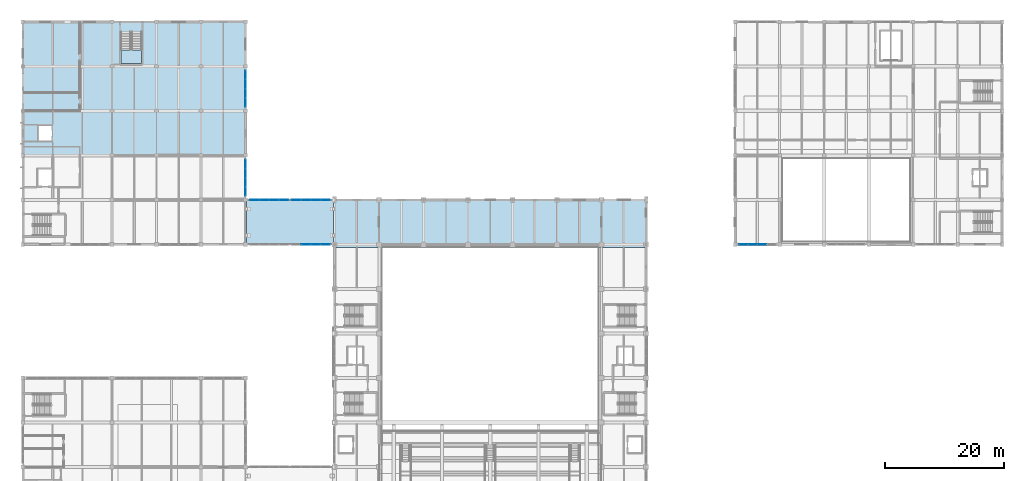
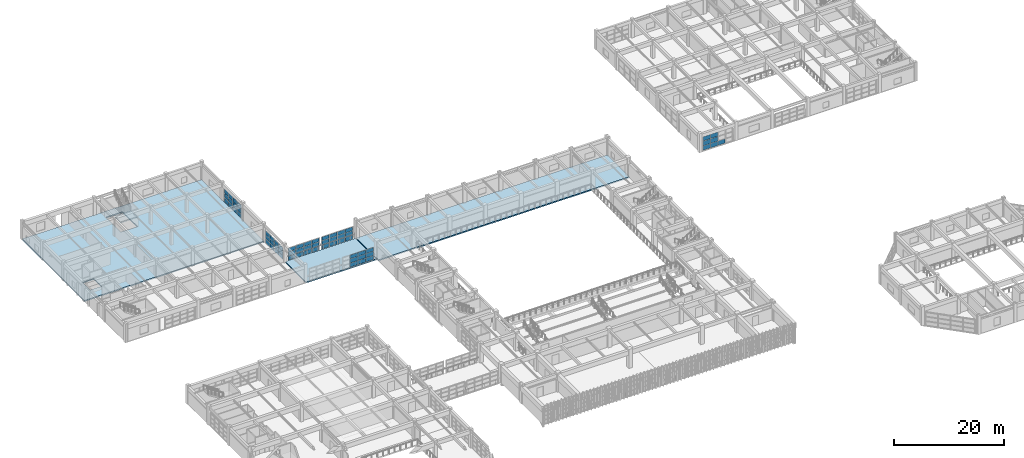
# One storey, part 83 of 124: 64 plates, 4 slabs, 7 elements without a shape of their own.
"""IFC4 building model written with IfcOpenShell, lengths in metres."""

from ifc_helpers import new_model, si_unit, direction, frame, origin, origin_2d, place, context, subcontext, project, spatial, polyline, rectangle, outline, extrude, material, layer, layer_set, type_object, element, aggregate, save


model = new_model("IFC4")

# Units and contexts
model_context = context("Model", 3, precision=1e-05, world=origin(), true_north=direction((0.0, 1.0)))
body_context = subcontext(model_context, "Body", "Model", "MODEL_VIEW")
ifc_project = project(units=[si_unit("LENGTHUNIT", "METRE"), si_unit("AREAUNIT", "SQUARE_METRE"), si_unit("VOLUMEUNIT", "CUBIC_METRE"), si_unit("PLANEANGLEUNIT", "RADIAN"), si_unit("MASSUNIT", "GRAM", prefix="KILO")], contexts=[model_context])

# Site, building, storey
site_placement = place(None, origin())
site = spatial("IfcSite", under=ifc_project, at=site_placement, CompositionType="ELEMENT")
building_placement = place(site_placement, origin())
building = spatial("IfcBuilding", under=site, at=building_placement, Name="Qasida Concert Hall", CompositionType="ELEMENT")
storey_placement = place(building_placement, frame((0.0, 0.0, 9.0)))
storey = spatial("IfcBuildingStorey", under=building, at=storey_placement, Name="L02", CompositionType="ELEMENT", Elevation=9.0)

# Curtain wall, plates
ifc_material_1 = material(Name="Architectural bronze-anodized aluminium and low-E glass", Category="aluminium")
curtain_wall_type_1 = type_object("IfcCurtainWallType", Name="CW-03", PredefinedType="NOTDEFINED", material=ifc_material_1)
curtain_wall_1_placement = place(storey_placement, origin())
curtain_wall_1 = element("IfcCurtainWall", 1, at=curtain_wall_1_placement, inside=storey, type_object=curtain_wall_type_1, Name="L02 curtain wall CW-03 0169", PredefinedType="NOTDEFINED")
ifc_material_2 = material(Name="Solar-control low-E double glazing", Category="glass")
ifc_layer_1 = layer(ifc_material_2, 0.031982421875, Name="Solar-control low-E double glazing")
ifc_layer_set_1 = layer_set([ifc_layer_1], Name="Solar-control low-E double glazing")
plate_type_1 = type_object("IfcPlateType", Name="PLT-CWP-2", PredefinedType="CURTAIN_PANEL", material=ifc_layer_set_1)
plate_1_placement = place(storey_placement, frame((121.418701171875, 75.0, 0.06005859375), z_axis=(0.0, 0.0, 1.0), x_axis=(1.0, 0.0, 0.0)))
plate_1 = element("IfcPlate", 2, at=plate_1_placement, type_object=plate_type_1, Name="CW-03 panel 1.1", PredefinedType="CURTAIN_PANEL", context=body_context, shape_type="SweptSolid", body=[
    extrude(rectangle(XDim=1.467529296875, YDim=0.031982421875, at=origin_2d()), origin(), (0.0, 0.0, 1.0), 0.949951171875),
])
plate_2_placement = place(storey_placement, frame((121.418701171875, 75.0, 1.070068359375), z_axis=(0.0, 0.0, 1.0), x_axis=(1.0, 0.0, 0.0)))
plate_2 = element("IfcPlate", 3, at=plate_2_placement, type_object=plate_type_1, Name="CW-03 panel 1.2", PredefinedType="CURTAIN_PANEL", context=body_context, shape_type="SweptSolid", body=[
    extrude(rectangle(XDim=1.467529296875, YDim=0.031982421875, at=origin_2d()), origin(), (0.0, 0.0, 1.0), 0.97998046875),
])
plate_3_placement = place(storey_placement, frame((121.418701171875, 75.0, 2.10986328125), z_axis=(0.0, 0.0, 1.0), x_axis=(1.0, 0.0, 0.0)))
plate_3 = element("IfcPlate", 4, at=plate_3_placement, type_object=plate_type_1, Name="CW-03 panel 1.3", PredefinedType="CURTAIN_PANEL", context=body_context, shape_type="SweptSolid", body=[
    extrude(rectangle(XDim=1.467529296875, YDim=0.031982421875, at=origin_2d()), origin(), (0.0, 0.0, 1.0), 0.949951171875),
])
plate_4_placement = place(storey_placement, frame((122.967529296875, 75.0, 0.06005859375), z_axis=(0.0, 0.0, 1.0), x_axis=(1.0, 0.0, 0.0)))
plate_4 = element("IfcPlate", 5, at=plate_4_placement, type_object=plate_type_1, Name="CW-03 panel 2.1", PredefinedType="CURTAIN_PANEL", context=body_context, shape_type="SweptSolid", body=[
    extrude(rectangle(XDim=1.5, YDim=0.031982421875, at=origin_2d()), origin(), (0.0, 0.0, 1.0), 0.949951171875),
])
plate_5_placement = place(storey_placement, frame((122.967529296875, 75.0, 1.070068359375), z_axis=(0.0, 0.0, 1.0), x_axis=(1.0, 0.0, 0.0)))
plate_5 = element("IfcPlate", 6, at=plate_5_placement, type_object=plate_type_1, Name="CW-03 panel 2.2", PredefinedType="CURTAIN_PANEL", context=body_context, shape_type="SweptSolid", body=[
    extrude(rectangle(XDim=1.5, YDim=0.031982421875, at=origin_2d()), origin(), (0.0, 0.0, 1.0), 0.97998046875),
])
plate_6_placement = place(storey_placement, frame((122.967529296875, 75.0, 2.10986328125), z_axis=(0.0, 0.0, 1.0), x_axis=(1.0, 0.0, 0.0)))
plate_6 = element("IfcPlate", 7, at=plate_6_placement, type_object=plate_type_1, Name="CW-03 panel 2.3", PredefinedType="CURTAIN_PANEL", context=body_context, shape_type="SweptSolid", body=[
    extrude(rectangle(XDim=1.5, YDim=0.031982421875, at=origin_2d()), origin(), (0.0, 0.0, 1.0), 0.949951171875),
])
plate_7_placement = place(storey_placement, frame((124.532470703125, 75.0, 0.06005859375), z_axis=(0.0, 0.0, 1.0), x_axis=(1.0, 0.0, 0.0)))
plate_7 = element("IfcPlate", 8, at=plate_7_placement, type_object=plate_type_1, Name="CW-03 panel 3.1", PredefinedType="CURTAIN_PANEL", context=body_context, shape_type="SweptSolid", body=[
    extrude(rectangle(XDim=1.5, YDim=0.031982421875, at=origin_2d()), origin(), (0.0, 0.0, 1.0), 0.949951171875),
])
aggregate(curtain_wall_1, [plate_1, plate_2, plate_3, plate_4, plate_5, plate_6, plate_7])

curtain_wall_type_2 = type_object("IfcCurtainWallType", Name="CW-08", PredefinedType="NOTDEFINED", material=ifc_material_1)
curtain_wall_2_placement = place(storey_placement, origin())
curtain_wall_2 = element("IfcCurtainWall", 9, at=curtain_wall_2_placement, inside=storey, type_object=curtain_wall_type_2, Name="L02 curtain wall CW-08 0190", PredefinedType="NOTDEFINED")
ifc_layer_2 = layer(ifc_material_2, 0.02392578125, Name="Solar-control low-E double glazing")
ifc_layer_set_2 = layer_set([ifc_layer_2], Name="Solar-control low-E double glazing")
plate_type_2 = type_object("IfcPlateType", Name="PLT-CWP-5", PredefinedType="CURTAIN_PANEL", material=ifc_layer_set_2)
plate_8_placement = place(storey_placement, frame((37.5, 83.918701171875, 0.06005859375), z_axis=(0.0, 0.0, 1.0), x_axis=(0.0, 1.0, 0.0)))
plate_8 = element("IfcPlate", 10, at=plate_8_placement, type_object=plate_type_2, Name="CW-08 panel 1.1", PredefinedType="CURTAIN_PANEL", context=body_context, shape_type="SweptSolid", body=[
    extrude(rectangle(XDim=1.467529296875, YDim=0.02392578125, at=origin_2d()), origin(), (0.0, 0.0, 1.0), 0.85009765625),
])
plate_9_placement = place(storey_placement, frame((37.5, 83.918701171875, 0.969970703125), z_axis=(0.0, 0.0, 1.0), x_axis=(0.0, 1.0, 0.0)))
plate_9 = element("IfcPlate", 11, at=plate_9_placement, type_object=plate_type_2, Name="CW-08 panel 1.2", PredefinedType="CURTAIN_PANEL", context=body_context, shape_type="SweptSolid", body=[
    extrude(rectangle(XDim=1.467529296875, YDim=0.02392578125, at=origin_2d()), origin(), (0.0, 0.0, 1.0), 0.8798828125),
])
plate_10_placement = place(storey_placement, frame((37.5, 83.918701171875, 1.909912109375), z_axis=(0.0, 0.0, 1.0), x_axis=(0.0, 1.0, 0.0)))
plate_10 = element("IfcPlate", 12, at=plate_10_placement, type_object=plate_type_2, Name="CW-08 panel 1.3", PredefinedType="CURTAIN_PANEL", context=body_context, shape_type="SweptSolid", body=[
    extrude(rectangle(XDim=1.467529296875, YDim=0.02392578125, at=origin_2d()), origin(), (0.0, 0.0, 1.0), 0.85009765625),
])
plate_11_placement = place(storey_placement, frame((37.5, 85.467529296875, 0.06005859375), z_axis=(0.0, 0.0, 1.0), x_axis=(0.0, 1.0, 0.0)))
plate_11 = element("IfcPlate", 13, at=plate_11_placement, type_object=plate_type_2, Name="CW-08 panel 2.1", PredefinedType="CURTAIN_PANEL", context=body_context, shape_type="SweptSolid", body=[
    extrude(rectangle(XDim=1.5, YDim=0.02392578125, at=origin_2d()), origin(), (0.0, 0.0, 1.0), 0.85009765625),
])
plate_12_placement = place(storey_placement, frame((37.5, 85.467529296875, 0.969970703125), z_axis=(0.0, 0.0, 1.0), x_axis=(0.0, 1.0, 0.0)))
plate_12 = element("IfcPlate", 14, at=plate_12_placement, type_object=plate_type_2, Name="CW-08 panel 2.2", PredefinedType="CURTAIN_PANEL", context=body_context, shape_type="SweptSolid", body=[
    extrude(rectangle(XDim=1.5, YDim=0.02392578125, at=origin_2d()), origin(), (0.0, 0.0, 1.0), 0.8798828125),
])
plate_13_placement = place(storey_placement, frame((37.5, 85.467529296875, 1.909912109375), z_axis=(0.0, 0.0, 1.0), x_axis=(0.0, 1.0, 0.0)))
plate_13 = element("IfcPlate", 15, at=plate_13_placement, type_object=plate_type_2, Name="CW-08 panel 2.3", PredefinedType="CURTAIN_PANEL", context=body_context, shape_type="SweptSolid", body=[
    extrude(rectangle(XDim=1.5, YDim=0.02392578125, at=origin_2d()), origin(), (0.0, 0.0, 1.0), 0.85009765625),
])
plate_14_placement = place(storey_placement, frame((37.5, 87.032470703125, 0.06005859375), z_axis=(0.0, 0.0, 1.0), x_axis=(0.0, 1.0, 0.0)))
plate_14 = element("IfcPlate", 16, at=plate_14_placement, type_object=plate_type_2, Name="CW-08 panel 3.1", PredefinedType="CURTAIN_PANEL", context=body_context, shape_type="SweptSolid", body=[
    extrude(rectangle(XDim=1.5, YDim=0.02392578125, at=origin_2d()), origin(), (0.0, 0.0, 1.0), 0.85009765625),
])
plate_15_placement = place(storey_placement, frame((37.5, 87.032470703125, 0.969970703125), z_axis=(0.0, 0.0, 1.0), x_axis=(0.0, 1.0, 0.0)))
plate_15 = element("IfcPlate", 17, at=plate_15_placement, type_object=plate_type_2, Name="CW-08 panel 3.2", PredefinedType="CURTAIN_PANEL", context=body_context, shape_type="SweptSolid", body=[
    extrude(rectangle(XDim=1.5, YDim=0.02392578125, at=origin_2d()), origin(), (0.0, 0.0, 1.0), 0.8798828125),
])
plate_16_placement = place(storey_placement, frame((37.5, 87.032470703125, 1.909912109375), z_axis=(0.0, 0.0, 1.0), x_axis=(0.0, 1.0, 0.0)))
plate_16 = element("IfcPlate", 18, at=plate_16_placement, type_object=plate_type_2, Name="CW-08 panel 3.3", PredefinedType="CURTAIN_PANEL", context=body_context, shape_type="SweptSolid", body=[
    extrude(rectangle(XDim=1.5, YDim=0.02392578125, at=origin_2d()), origin(), (0.0, 0.0, 1.0), 0.85009765625),
])
plate_17_placement = place(storey_placement, frame((37.5, 88.581298828125, 0.06005859375), z_axis=(0.0, 0.0, 1.0), x_axis=(0.0, 1.0, 0.0)))
plate_17 = element("IfcPlate", 19, at=plate_17_placement, type_object=plate_type_2, Name="CW-08 panel 4.1", PredefinedType="CURTAIN_PANEL", context=body_context, shape_type="SweptSolid", body=[
    extrude(rectangle(XDim=1.467529296875, YDim=0.02392578125, at=origin_2d()), origin(), (0.0, 0.0, 1.0), 0.85009765625),
])
plate_18_placement = place(storey_placement, frame((37.5, 88.581298828125, 0.969970703125), z_axis=(0.0, 0.0, 1.0), x_axis=(0.0, 1.0, 0.0)))
plate_18 = element("IfcPlate", 20, at=plate_18_placement, type_object=plate_type_2, Name="CW-08 panel 4.2", PredefinedType="CURTAIN_PANEL", context=body_context, shape_type="SweptSolid", body=[
    extrude(rectangle(XDim=1.467529296875, YDim=0.02392578125, at=origin_2d()), origin(), (0.0, 0.0, 1.0), 0.8798828125),
])
plate_19_placement = place(storey_placement, frame((37.5, 88.581298828125, 1.909912109375), z_axis=(0.0, 0.0, 1.0), x_axis=(0.0, 1.0, 0.0)))
plate_19 = element("IfcPlate", 21, at=plate_19_placement, type_object=plate_type_2, Name="CW-08 panel 4.3", PredefinedType="CURTAIN_PANEL", context=body_context, shape_type="SweptSolid", body=[
    extrude(rectangle(XDim=1.467529296875, YDim=0.02392578125, at=origin_2d()), origin(), (0.0, 0.0, 1.0), 0.85009765625),
])
aggregate(curtain_wall_2, [plate_8, plate_9, plate_10, plate_11, plate_12, plate_13, plate_14, plate_15, plate_16, plate_17, plate_18, plate_19])

curtain_wall_3_placement = place(storey_placement, origin())
curtain_wall_3 = element("IfcCurtainWall", 22, at=curtain_wall_3_placement, inside=storey, type_object=curtain_wall_type_2, Name="L02 curtain wall CW-08 0191", PredefinedType="NOTDEFINED")
plate_20_placement = place(storey_placement, frame((37.5, 98.918701171875, 0.06005859375), z_axis=(0.0, 0.0, 1.0), x_axis=(0.0, 1.0, 0.0)))
plate_20 = element("IfcPlate", 23, at=plate_20_placement, type_object=plate_type_2, Name="CW-08 panel 1.1", PredefinedType="CURTAIN_PANEL", context=body_context, shape_type="SweptSolid", body=[
    extrude(rectangle(XDim=1.467529296875, YDim=0.02392578125, at=origin_2d()), origin(), (0.0, 0.0, 1.0), 0.916748046875),
])
plate_21_placement = place(storey_placement, frame((37.5, 98.918701171875, 1.03662109375), z_axis=(0.0, 0.0, 1.0), x_axis=(0.0, 1.0, 0.0)))
plate_21 = element("IfcPlate", 24, at=plate_21_placement, type_object=plate_type_2, Name="CW-08 panel 1.2", PredefinedType="CURTAIN_PANEL", context=body_context, shape_type="SweptSolid", body=[
    extrude(rectangle(XDim=1.467529296875, YDim=0.02392578125, at=origin_2d()), origin(), (0.0, 0.0, 1.0), 0.946533203125),
])
plate_22_placement = place(storey_placement, frame((37.5, 98.918701171875, 2.04345703125), z_axis=(0.0, 0.0, 1.0), x_axis=(0.0, 1.0, 0.0)))
plate_22 = element("IfcPlate", 25, at=plate_22_placement, type_object=plate_type_2, Name="CW-08 panel 1.3", PredefinedType="CURTAIN_PANEL", context=body_context, shape_type="SweptSolid", body=[
    extrude(rectangle(XDim=1.467529296875, YDim=0.02392578125, at=origin_2d()), origin(), (0.0, 0.0, 1.0), 0.916748046875),
])
plate_23_placement = place(storey_placement, frame((37.5, 100.467529296875, 0.06005859375), z_axis=(0.0, 0.0, 1.0), x_axis=(0.0, 1.0, 0.0)))
plate_23 = element("IfcPlate", 26, at=plate_23_placement, type_object=plate_type_2, Name="CW-08 panel 2.1", PredefinedType="CURTAIN_PANEL", context=body_context, shape_type="SweptSolid", body=[
    extrude(rectangle(XDim=1.5, YDim=0.02392578125, at=origin_2d()), origin(), (0.0, 0.0, 1.0), 0.916748046875),
])
plate_24_placement = place(storey_placement, frame((37.5, 100.467529296875, 1.03662109375), z_axis=(0.0, 0.0, 1.0), x_axis=(0.0, 1.0, 0.0)))
plate_24 = element("IfcPlate", 27, at=plate_24_placement, type_object=plate_type_2, Name="CW-08 panel 2.2", PredefinedType="CURTAIN_PANEL", context=body_context, shape_type="SweptSolid", body=[
    extrude(rectangle(XDim=1.5, YDim=0.02392578125, at=origin_2d()), origin(), (0.0, 0.0, 1.0), 0.946533203125),
])
plate_25_placement = place(storey_placement, frame((37.5, 100.467529296875, 2.04345703125), z_axis=(0.0, 0.0, 1.0), x_axis=(0.0, 1.0, 0.0)))
plate_25 = element("IfcPlate", 28, at=plate_25_placement, type_object=plate_type_2, Name="CW-08 panel 2.3", PredefinedType="CURTAIN_PANEL", context=body_context, shape_type="SweptSolid", body=[
    extrude(rectangle(XDim=1.5, YDim=0.02392578125, at=origin_2d()), origin(), (0.0, 0.0, 1.0), 0.916748046875),
])
plate_26_placement = place(storey_placement, frame((37.5, 102.032470703125, 0.06005859375), z_axis=(0.0, 0.0, 1.0), x_axis=(0.0, 1.0, 0.0)))
plate_26 = element("IfcPlate", 29, at=plate_26_placement, type_object=plate_type_2, Name="CW-08 panel 3.1", PredefinedType="CURTAIN_PANEL", context=body_context, shape_type="SweptSolid", body=[
    extrude(rectangle(XDim=1.5, YDim=0.02392578125, at=origin_2d()), origin(), (0.0, 0.0, 1.0), 0.916748046875),
])
plate_27_placement = place(storey_placement, frame((37.5, 102.032470703125, 1.03662109375), z_axis=(0.0, 0.0, 1.0), x_axis=(0.0, 1.0, 0.0)))
plate_27 = element("IfcPlate", 30, at=plate_27_placement, type_object=plate_type_2, Name="CW-08 panel 3.2", PredefinedType="CURTAIN_PANEL", context=body_context, shape_type="SweptSolid", body=[
    extrude(rectangle(XDim=1.5, YDim=0.02392578125, at=origin_2d()), origin(), (0.0, 0.0, 1.0), 0.946533203125),
])
plate_28_placement = place(storey_placement, frame((37.5, 102.032470703125, 2.04345703125), z_axis=(0.0, 0.0, 1.0), x_axis=(0.0, 1.0, 0.0)))
plate_28 = element("IfcPlate", 31, at=plate_28_placement, type_object=plate_type_2, Name="CW-08 panel 3.3", PredefinedType="CURTAIN_PANEL", context=body_context, shape_type="SweptSolid", body=[
    extrude(rectangle(XDim=1.5, YDim=0.02392578125, at=origin_2d()), origin(), (0.0, 0.0, 1.0), 0.916748046875),
])
plate_29_placement = place(storey_placement, frame((37.5, 103.581298828125, 0.06005859375), z_axis=(0.0, 0.0, 1.0), x_axis=(0.0, 1.0, 0.0)))
plate_29 = element("IfcPlate", 32, at=plate_29_placement, type_object=plate_type_2, Name="CW-08 panel 4.1", PredefinedType="CURTAIN_PANEL", context=body_context, shape_type="SweptSolid", body=[
    extrude(rectangle(XDim=1.467529296875, YDim=0.02392578125, at=origin_2d()), origin(), (0.0, 0.0, 1.0), 0.916748046875),
])
plate_30_placement = place(storey_placement, frame((37.5, 103.581298828125, 1.03662109375), z_axis=(0.0, 0.0, 1.0), x_axis=(0.0, 1.0, 0.0)))
plate_30 = element("IfcPlate", 33, at=plate_30_placement, type_object=plate_type_2, Name="CW-08 panel 4.2", PredefinedType="CURTAIN_PANEL", context=body_context, shape_type="SweptSolid", body=[
    extrude(rectangle(XDim=1.467529296875, YDim=0.02392578125, at=origin_2d()), origin(), (0.0, 0.0, 1.0), 0.946533203125),
])
plate_31_placement = place(storey_placement, frame((37.5, 103.581298828125, 2.04345703125), z_axis=(0.0, 0.0, 1.0), x_axis=(0.0, 1.0, 0.0)))
plate_31 = element("IfcPlate", 34, at=plate_31_placement, type_object=plate_type_2, Name="CW-08 panel 4.3", PredefinedType="CURTAIN_PANEL", context=body_context, shape_type="SweptSolid", body=[
    extrude(rectangle(XDim=1.467529296875, YDim=0.02392578125, at=origin_2d()), origin(), (0.0, 0.0, 1.0), 0.916748046875),
])
aggregate(curtain_wall_3, [plate_20, plate_21, plate_22, plate_23, plate_24, plate_25, plate_26, plate_27, plate_28, plate_29, plate_30, plate_31])

curtain_wall_4_placement = place(storey_placement, origin())
curtain_wall_4 = element("IfcCurtainWall", 35, at=curtain_wall_4_placement, inside=storey, type_object=curtain_wall_type_2, Name="L02 link bridge glazing 0219", PredefinedType="NOTDEFINED")
plate_32_placement = place(storey_placement, frame((39.041259765625, 82.5, 0.06005859375), z_axis=(0.0, 0.0, 1.0), x_axis=(1.0, 0.0, 0.0)))
plate_32 = element("IfcPlate", 36, at=plate_32_placement, type_object=plate_type_2, Name="CW-08 panel 1.1", PredefinedType="CURTAIN_PANEL", context=body_context, shape_type="SweptSolid", body=[
    extrude(rectangle(XDim=1.552490234375, YDim=0.02392578125, at=origin_2d()), origin(), (0.0, 0.0, 1.0), 0.860107421875),
])
plate_33_placement = place(storey_placement, frame((39.041259765625, 82.5, 0.97998046875), z_axis=(0.0, 0.0, 1.0), x_axis=(1.0, 0.0, 0.0)))
plate_33 = element("IfcPlate", 37, at=plate_33_placement, type_object=plate_type_2, Name="CW-08 panel 1.2", PredefinedType="CURTAIN_PANEL", context=body_context, shape_type="SweptSolid", body=[
    extrude(rectangle(XDim=1.552490234375, YDim=0.02392578125, at=origin_2d()), origin(), (0.0, 0.0, 1.0), 0.889892578125),
])
plate_34_placement = place(storey_placement, frame((39.041259765625, 82.5, 1.929931640625), z_axis=(0.0, 0.0, 1.0), x_axis=(1.0, 0.0, 0.0)))
plate_34 = element("IfcPlate", 38, at=plate_34_placement, type_object=plate_type_2, Name="CW-08 panel 1.3", PredefinedType="CURTAIN_PANEL", context=body_context, shape_type="SweptSolid", body=[
    extrude(rectangle(XDim=1.552490234375, YDim=0.02392578125, at=origin_2d()), origin(), (0.0, 0.0, 1.0), 0.81005859375),
])
plate_35_placement = place(storey_placement, frame((40.675048828125, 82.5, 0.06005859375), z_axis=(0.0, 0.0, 1.0), x_axis=(1.0, 0.0, 0.0)))
plate_35 = element("IfcPlate", 39, at=plate_35_placement, type_object=plate_type_2, Name="CW-08 panel 2.1", PredefinedType="CURTAIN_PANEL", context=body_context, shape_type="SweptSolid", body=[
    extrude(rectangle(XDim=1.5849609375, YDim=0.02392578125, at=origin_2d()), origin(), (0.0, 0.0, 1.0), 0.860107421875),
])
plate_36_placement = place(storey_placement, frame((40.675048828125, 82.5, 0.97998046875), z_axis=(0.0, 0.0, 1.0), x_axis=(1.0, 0.0, 0.0)))
plate_36 = element("IfcPlate", 40, at=plate_36_placement, type_object=plate_type_2, Name="CW-08 panel 2.2", PredefinedType="CURTAIN_PANEL", context=body_context, shape_type="SweptSolid", body=[
    extrude(rectangle(XDim=1.5849609375, YDim=0.02392578125, at=origin_2d()), origin(), (0.0, 0.0, 1.0), 0.889892578125),
])
plate_37_placement = place(storey_placement, frame((40.675048828125, 82.5, 1.929931640625), z_axis=(0.0, 0.0, 1.0), x_axis=(1.0, 0.0, 0.0)))
plate_37 = element("IfcPlate", 41, at=plate_37_placement, type_object=plate_type_2, Name="CW-08 panel 2.3", PredefinedType="CURTAIN_PANEL", context=body_context, shape_type="SweptSolid", body=[
    extrude(rectangle(XDim=1.5849609375, YDim=0.02392578125, at=origin_2d()), origin(), (0.0, 0.0, 1.0), 0.81005859375),
])
plate_38_placement = place(storey_placement, frame((42.324951171875, 82.5, 0.06005859375), z_axis=(0.0, 0.0, 1.0), x_axis=(1.0, 0.0, 0.0)))
plate_38 = element("IfcPlate", 42, at=plate_38_placement, type_object=plate_type_2, Name="CW-08 panel 3.1", PredefinedType="CURTAIN_PANEL", context=body_context, shape_type="SweptSolid", body=[
    extrude(rectangle(XDim=1.5849609375, YDim=0.02392578125, at=origin_2d()), origin(), (0.0, 0.0, 1.0), 0.860107421875),
])
plate_39_placement = place(storey_placement, frame((42.324951171875, 82.5, 0.97998046875), z_axis=(0.0, 0.0, 1.0), x_axis=(1.0, 0.0, 0.0)))
plate_39 = element("IfcPlate", 43, at=plate_39_placement, type_object=plate_type_2, Name="CW-08 panel 3.2", PredefinedType="CURTAIN_PANEL", context=body_context, shape_type="SweptSolid", body=[
    extrude(rectangle(XDim=1.5849609375, YDim=0.02392578125, at=origin_2d()), origin(), (0.0, 0.0, 1.0), 0.889892578125),
])
plate_40_placement = place(storey_placement, frame((42.324951171875, 82.5, 1.929931640625), z_axis=(0.0, 0.0, 1.0), x_axis=(1.0, 0.0, 0.0)))
plate_40 = element("IfcPlate", 44, at=plate_40_placement, type_object=plate_type_2, Name="CW-08 panel 3.3", PredefinedType="CURTAIN_PANEL", context=body_context, shape_type="SweptSolid", body=[
    extrude(rectangle(XDim=1.5849609375, YDim=0.02392578125, at=origin_2d()), origin(), (0.0, 0.0, 1.0), 0.81005859375),
])
plate_41_placement = place(storey_placement, frame((43.958740234375, 82.5, 0.06005859375), z_axis=(0.0, 0.0, 1.0), x_axis=(1.0, 0.0, 0.0)))
plate_41 = element("IfcPlate", 45, at=plate_41_placement, type_object=plate_type_2, Name="CW-08 panel 4.1", PredefinedType="CURTAIN_PANEL", context=body_context, shape_type="SweptSolid", body=[
    extrude(rectangle(XDim=1.552490234375, YDim=0.02392578125, at=origin_2d()), origin(), (0.0, 0.0, 1.0), 0.860107421875),
])
plate_42_placement = place(storey_placement, frame((43.958740234375, 82.5, 0.97998046875), z_axis=(0.0, 0.0, 1.0), x_axis=(1.0, 0.0, 0.0)))
plate_42 = element("IfcPlate", 46, at=plate_42_placement, type_object=plate_type_2, Name="CW-08 panel 4.2", PredefinedType="CURTAIN_PANEL", context=body_context, shape_type="SweptSolid", body=[
    extrude(rectangle(XDim=1.552490234375, YDim=0.02392578125, at=origin_2d()), origin(), (0.0, 0.0, 1.0), 0.889892578125),
])
plate_43_placement = place(storey_placement, frame((43.958740234375, 82.5, 1.929931640625), z_axis=(0.0, 0.0, 1.0), x_axis=(1.0, 0.0, 0.0)))
plate_43 = element("IfcPlate", 47, at=plate_43_placement, type_object=plate_type_2, Name="CW-08 panel 4.3", PredefinedType="CURTAIN_PANEL", context=body_context, shape_type="SweptSolid", body=[
    extrude(rectangle(XDim=1.552490234375, YDim=0.02392578125, at=origin_2d()), origin(), (0.0, 0.0, 1.0), 0.81005859375),
])
aggregate(curtain_wall_4, [plate_32, plate_33, plate_34, plate_35, plate_36, plate_37, plate_38, plate_39, plate_40, plate_41, plate_42, plate_43])

curtain_wall_5_placement = place(storey_placement, origin())
curtain_wall_5 = element("IfcCurtainWall", 48, at=curtain_wall_5_placement, inside=storey, type_object=curtain_wall_type_2, Name="L02 link bridge glazing 0220", PredefinedType="NOTDEFINED")
plate_44_placement = place(storey_placement, frame((47.675048828125, 75.0, 0.06005859375), z_axis=(0.0, 0.0, 1.0), x_axis=(1.0, 0.0, 0.0)))
plate_44 = element("IfcPlate", 49, at=plate_44_placement, type_object=plate_type_2, Name="CW-08 panel 2.1", PredefinedType="CURTAIN_PANEL", context=body_context, shape_type="SweptSolid", body=[
    extrude(rectangle(XDim=1.5849609375, YDim=0.02392578125, at=origin_2d()), origin(), (0.0, 0.0, 1.0), 0.860107421875),
])
plate_45_placement = place(storey_placement, frame((47.675048828125, 75.0, 0.97998046875), z_axis=(0.0, 0.0, 1.0), x_axis=(1.0, 0.0, 0.0)))
plate_45 = element("IfcPlate", 50, at=plate_45_placement, type_object=plate_type_2, Name="CW-08 panel 2.2", PredefinedType="CURTAIN_PANEL", context=body_context, shape_type="SweptSolid", body=[
    extrude(rectangle(XDim=1.5849609375, YDim=0.02392578125, at=origin_2d()), origin(), (0.0, 0.0, 1.0), 0.889892578125),
])
plate_46_placement = place(storey_placement, frame((47.675048828125, 75.0, 1.929931640625), z_axis=(0.0, 0.0, 1.0), x_axis=(1.0, 0.0, 0.0)))
plate_46 = element("IfcPlate", 51, at=plate_46_placement, type_object=plate_type_2, Name="CW-08 panel 2.3", PredefinedType="CURTAIN_PANEL", context=body_context, shape_type="SweptSolid", body=[
    extrude(rectangle(XDim=1.5849609375, YDim=0.02392578125, at=origin_2d()), origin(), (0.0, 0.0, 1.0), 0.81005859375),
])
plate_47_placement = place(storey_placement, frame((49.324951171875, 75.0, 0.06005859375), z_axis=(0.0, 0.0, 1.0), x_axis=(1.0, 0.0, 0.0)))
plate_47 = element("IfcPlate", 52, at=plate_47_placement, type_object=plate_type_2, Name="CW-08 panel 3.1", PredefinedType="CURTAIN_PANEL", context=body_context, shape_type="SweptSolid", body=[
    extrude(rectangle(XDim=1.5849609375, YDim=0.02392578125, at=origin_2d()), origin(), (0.0, 0.0, 1.0), 0.860107421875),
])
plate_48_placement = place(storey_placement, frame((49.324951171875, 75.0, 0.97998046875), z_axis=(0.0, 0.0, 1.0), x_axis=(1.0, 0.0, 0.0)))
plate_48 = element("IfcPlate", 53, at=plate_48_placement, type_object=plate_type_2, Name="CW-08 panel 3.2", PredefinedType="CURTAIN_PANEL", context=body_context, shape_type="SweptSolid", body=[
    extrude(rectangle(XDim=1.5849609375, YDim=0.02392578125, at=origin_2d()), origin(), (0.0, 0.0, 1.0), 0.889892578125),
])
plate_49_placement = place(storey_placement, frame((49.324951171875, 75.0, 1.929931640625), z_axis=(0.0, 0.0, 1.0), x_axis=(1.0, 0.0, 0.0)))
plate_49 = element("IfcPlate", 54, at=plate_49_placement, type_object=plate_type_2, Name="CW-08 panel 3.3", PredefinedType="CURTAIN_PANEL", context=body_context, shape_type="SweptSolid", body=[
    extrude(rectangle(XDim=1.5849609375, YDim=0.02392578125, at=origin_2d()), origin(), (0.0, 0.0, 1.0), 0.81005859375),
])
plate_50_placement = place(storey_placement, frame((50.958740234375, 75.0, 0.06005859375), z_axis=(0.0, 0.0, 1.0), x_axis=(1.0, 0.0, 0.0)))
plate_50 = element("IfcPlate", 55, at=plate_50_placement, type_object=plate_type_2, Name="CW-08 panel 4.1", PredefinedType="CURTAIN_PANEL", context=body_context, shape_type="SweptSolid", body=[
    extrude(rectangle(XDim=1.552490234375, YDim=0.02392578125, at=origin_2d()), origin(), (0.0, 0.0, 1.0), 0.860107421875),
])
plate_51_placement = place(storey_placement, frame((50.958740234375, 75.0, 0.97998046875), z_axis=(0.0, 0.0, 1.0), x_axis=(1.0, 0.0, 0.0)))
plate_51 = element("IfcPlate", 56, at=plate_51_placement, type_object=plate_type_2, Name="CW-08 panel 4.2", PredefinedType="CURTAIN_PANEL", context=body_context, shape_type="SweptSolid", body=[
    extrude(rectangle(XDim=1.552490234375, YDim=0.02392578125, at=origin_2d()), origin(), (0.0, 0.0, 1.0), 0.889892578125),
])
plate_52_placement = place(storey_placement, frame((50.958740234375, 75.0, 1.929931640625), z_axis=(0.0, 0.0, 1.0), x_axis=(1.0, 0.0, 0.0)))
plate_52 = element("IfcPlate", 57, at=plate_52_placement, type_object=plate_type_2, Name="CW-08 panel 4.3", PredefinedType="CURTAIN_PANEL", context=body_context, shape_type="SweptSolid", body=[
    extrude(rectangle(XDim=1.552490234375, YDim=0.02392578125, at=origin_2d()), origin(), (0.0, 0.0, 1.0), 0.81005859375),
])
aggregate(curtain_wall_5, [plate_44, plate_45, plate_46, plate_47, plate_48, plate_49, plate_50, plate_51, plate_52])

curtain_wall_6_placement = place(storey_placement, origin())
curtain_wall_6 = element("IfcCurtainWall", 58, at=curtain_wall_6_placement, inside=storey, type_object=curtain_wall_type_2, Name="L02 link bridge glazing 0221", PredefinedType="NOTDEFINED")
plate_53_placement = place(storey_placement, frame((46.041259765625, 82.5, 0.06005859375), z_axis=(0.0, 0.0, 1.0), x_axis=(1.0, 0.0, 0.0)))
plate_53 = element("IfcPlate", 59, at=plate_53_placement, type_object=plate_type_2, Name="CW-08 panel 1.1", PredefinedType="CURTAIN_PANEL", context=body_context, shape_type="SweptSolid", body=[
    extrude(rectangle(XDim=1.552490234375, YDim=0.02392578125, at=origin_2d()), origin(), (0.0, 0.0, 1.0), 0.860107421875),
])
plate_54_placement = place(storey_placement, frame((46.041259765625, 82.5, 0.97998046875), z_axis=(0.0, 0.0, 1.0), x_axis=(1.0, 0.0, 0.0)))
plate_54 = element("IfcPlate", 60, at=plate_54_placement, type_object=plate_type_2, Name="CW-08 panel 1.2", PredefinedType="CURTAIN_PANEL", context=body_context, shape_type="SweptSolid", body=[
    extrude(rectangle(XDim=1.552490234375, YDim=0.02392578125, at=origin_2d()), origin(), (0.0, 0.0, 1.0), 0.889892578125),
])
plate_55_placement = place(storey_placement, frame((46.041259765625, 82.5, 1.929931640625), z_axis=(0.0, 0.0, 1.0), x_axis=(1.0, 0.0, 0.0)))
plate_55 = element("IfcPlate", 61, at=plate_55_placement, type_object=plate_type_2, Name="CW-08 panel 1.3", PredefinedType="CURTAIN_PANEL", context=body_context, shape_type="SweptSolid", body=[
    extrude(rectangle(XDim=1.552490234375, YDim=0.02392578125, at=origin_2d()), origin(), (0.0, 0.0, 1.0), 0.81005859375),
])
plate_56_placement = place(storey_placement, frame((47.675048828125, 82.5, 0.06005859375), z_axis=(0.0, 0.0, 1.0), x_axis=(1.0, 0.0, 0.0)))
plate_56 = element("IfcPlate", 62, at=plate_56_placement, type_object=plate_type_2, Name="CW-08 panel 2.1", PredefinedType="CURTAIN_PANEL", context=body_context, shape_type="SweptSolid", body=[
    extrude(rectangle(XDim=1.5849609375, YDim=0.02392578125, at=origin_2d()), origin(), (0.0, 0.0, 1.0), 0.860107421875),
])
plate_57_placement = place(storey_placement, frame((47.675048828125, 82.5, 0.97998046875), z_axis=(0.0, 0.0, 1.0), x_axis=(1.0, 0.0, 0.0)))
plate_57 = element("IfcPlate", 63, at=plate_57_placement, type_object=plate_type_2, Name="CW-08 panel 2.2", PredefinedType="CURTAIN_PANEL", context=body_context, shape_type="SweptSolid", body=[
    extrude(rectangle(XDim=1.5849609375, YDim=0.02392578125, at=origin_2d()), origin(), (0.0, 0.0, 1.0), 0.889892578125),
])
plate_58_placement = place(storey_placement, frame((47.675048828125, 82.5, 1.929931640625), z_axis=(0.0, 0.0, 1.0), x_axis=(1.0, 0.0, 0.0)))
plate_58 = element("IfcPlate", 64, at=plate_58_placement, type_object=plate_type_2, Name="CW-08 panel 2.3", PredefinedType="CURTAIN_PANEL", context=body_context, shape_type="SweptSolid", body=[
    extrude(rectangle(XDim=1.5849609375, YDim=0.02392578125, at=origin_2d()), origin(), (0.0, 0.0, 1.0), 0.81005859375),
])
plate_59_placement = place(storey_placement, frame((49.324951171875, 82.5, 0.06005859375), z_axis=(0.0, 0.0, 1.0), x_axis=(1.0, 0.0, 0.0)))
plate_59 = element("IfcPlate", 65, at=plate_59_placement, type_object=plate_type_2, Name="CW-08 panel 3.1", PredefinedType="CURTAIN_PANEL", context=body_context, shape_type="SweptSolid", body=[
    extrude(rectangle(XDim=1.5849609375, YDim=0.02392578125, at=origin_2d()), origin(), (0.0, 0.0, 1.0), 0.860107421875),
])
plate_60_placement = place(storey_placement, frame((49.324951171875, 82.5, 0.97998046875), z_axis=(0.0, 0.0, 1.0), x_axis=(1.0, 0.0, 0.0)))
plate_60 = element("IfcPlate", 66, at=plate_60_placement, type_object=plate_type_2, Name="CW-08 panel 3.2", PredefinedType="CURTAIN_PANEL", context=body_context, shape_type="SweptSolid", body=[
    extrude(rectangle(XDim=1.5849609375, YDim=0.02392578125, at=origin_2d()), origin(), (0.0, 0.0, 1.0), 0.889892578125),
])
plate_61_placement = place(storey_placement, frame((49.324951171875, 82.5, 1.929931640625), z_axis=(0.0, 0.0, 1.0), x_axis=(1.0, 0.0, 0.0)))
plate_61 = element("IfcPlate", 67, at=plate_61_placement, type_object=plate_type_2, Name="CW-08 panel 3.3", PredefinedType="CURTAIN_PANEL", context=body_context, shape_type="SweptSolid", body=[
    extrude(rectangle(XDim=1.5849609375, YDim=0.02392578125, at=origin_2d()), origin(), (0.0, 0.0, 1.0), 0.81005859375),
])
plate_62_placement = place(storey_placement, frame((50.958740234375, 82.5, 0.06005859375), z_axis=(0.0, 0.0, 1.0), x_axis=(1.0, 0.0, 0.0)))
plate_62 = element("IfcPlate", 68, at=plate_62_placement, type_object=plate_type_2, Name="CW-08 panel 4.1", PredefinedType="CURTAIN_PANEL", context=body_context, shape_type="SweptSolid", body=[
    extrude(rectangle(XDim=1.552490234375, YDim=0.02392578125, at=origin_2d()), origin(), (0.0, 0.0, 1.0), 0.860107421875),
])
plate_63_placement = place(storey_placement, frame((50.958740234375, 82.5, 0.97998046875), z_axis=(0.0, 0.0, 1.0), x_axis=(1.0, 0.0, 0.0)))
plate_63 = element("IfcPlate", 69, at=plate_63_placement, type_object=plate_type_2, Name="CW-08 panel 4.2", PredefinedType="CURTAIN_PANEL", context=body_context, shape_type="SweptSolid", body=[
    extrude(rectangle(XDim=1.552490234375, YDim=0.02392578125, at=origin_2d()), origin(), (0.0, 0.0, 1.0), 0.889892578125),
])
plate_64_placement = place(storey_placement, frame((50.958740234375, 82.5, 1.929931640625), z_axis=(0.0, 0.0, 1.0), x_axis=(1.0, 0.0, 0.0)))
plate_64 = element("IfcPlate", 70, at=plate_64_placement, type_object=plate_type_2, Name="CW-08 panel 4.3", PredefinedType="CURTAIN_PANEL", context=body_context, shape_type="SweptSolid", body=[
    extrude(rectangle(XDim=1.552490234375, YDim=0.02392578125, at=origin_2d()), origin(), (0.0, 0.0, 1.0), 0.81005859375),
])
aggregate(curtain_wall_6, [plate_53, plate_54, plate_55, plate_56, plate_57, plate_58, plate_59, plate_60, plate_61, plate_62, plate_63, plate_64])

# Slabs
ifc_material_3 = material(Name="Concrete C40/50", Category="concrete")
ifc_layer_3 = layer(ifc_material_3, 0.260009765625, Name="Concrete C40/50")
ifc_layer_set_3 = layer_set([ifc_layer_3], Name="Concrete C40/50")
slab_type_1 = type_object("IfcSlabType", Name="SL-FS-260", PredefinedType="FLOOR", material=ifc_layer_set_3)
slab_1_placement = place(storey_placement, frame((0.0, 0.0, -0.260009765625)))
element("IfcSlab", 71, at=slab_1_placement, inside=storey, type_object=slab_type_1, Name="V1 choir loft north (FS-260)", PredefinedType="FLOOR", context=body_context, shape_type="SweptSolid", body=[
    extrude(outline(polyline([(52.5, 74.5), (105.0, 74.5), (105.0, 82.5), (52.5, 82.5), (52.5, 74.5)])), origin(), (0.0, 0.0, 1.0), 0.260009765625),
])
slab_2_placement = place(storey_placement, frame((0.0, 0.0, -0.260009765625)))
element("IfcSlab", 72, at=slab_2_placement, inside=storey, type_object=slab_type_1, Name="V5 musicians lounge north (FS-260)", PredefinedType="FLOOR", context=body_context, shape_type="SweptSolid", body=[
    extrude(outline(polyline([(0.0, 90.0), (37.5, 90.0), (37.5, 112.5), (0.0, 112.5), (0.0, 90.0)]), holes=[polyline([(2.550048828125, 92.35009765625), (4.949951171875, 92.35009765625), (4.949951171875, 95.14990234375), (2.550048828125, 95.14990234375), (2.550048828125, 92.35009765625)]), polyline([(16.5, 105.47998046875), (20.0, 105.47998046875), (20.0, 110.840087890625), (16.5, 110.840087890625), (16.5, 105.47998046875)])]), origin(), (0.0, 0.0, 1.0), 0.260009765625),
])
slab_3_placement = place(storey_placement, frame((0.0, 0.0, -0.260009765625)))
element("IfcSlab", 73, at=slab_3_placement, inside=storey, type_object=slab_type_1, Name="Link V5-V1 bridge (FS-260)", PredefinedType="FLOOR", context=body_context, shape_type="SweptSolid", body=[
    extrude(outline(polyline([(37.64990234375, 75.0), (52.35009765625, 75.0), (52.35009765625, 82.5), (37.64990234375, 82.5), (37.64990234375, 75.0)])), origin(), (0.0, 0.0, 1.0), 0.260009765625),
])

# Stair, slab
stair_type = type_object("IfcStairType", Name="ST-DL-165", PredefinedType="HALF_TURN_STAIR", material=ifc_material_3)
stair_placement = place(storey_placement, origin())
stair = element("IfcStair", 74, at=stair_placement, inside=storey, type_object=stair_type, Name="L02 Exit stair ST-06", PredefinedType="HALF_TURN_STAIR")
ifc_layer_4 = layer(ifc_material_3, 0.199951171875, Name="Concrete C40/50")
ifc_layer_set_4 = layer_set([ifc_layer_4], Name="Concrete C40/50")
slab_type_2 = type_object("IfcSlabType", Name="SL-LND-200", PredefinedType="LANDING", material=ifc_layer_set_4)
slab_4_placement = place(storey_placement, frame((0.0, 0.0, 1.89990234375)))
slab_4 = element("IfcSlab", 75, at=slab_4_placement, type_object=slab_type_2, Name="ST-06 landing 1", PredefinedType="LANDING", context=body_context, shape_type="SweptSolid", body=[
    extrude(outline(polyline([(16.5, 107.77001953125), (16.5, 105.47998046875), (20.0, 105.47998046875), (20.0, 107.77001953125), (16.5, 107.77001953125)])), origin(), (0.0, 0.0, 1.0), 0.2001953125),
])
aggregate(stair, [slab_4])

save(model, "model.ifc")
